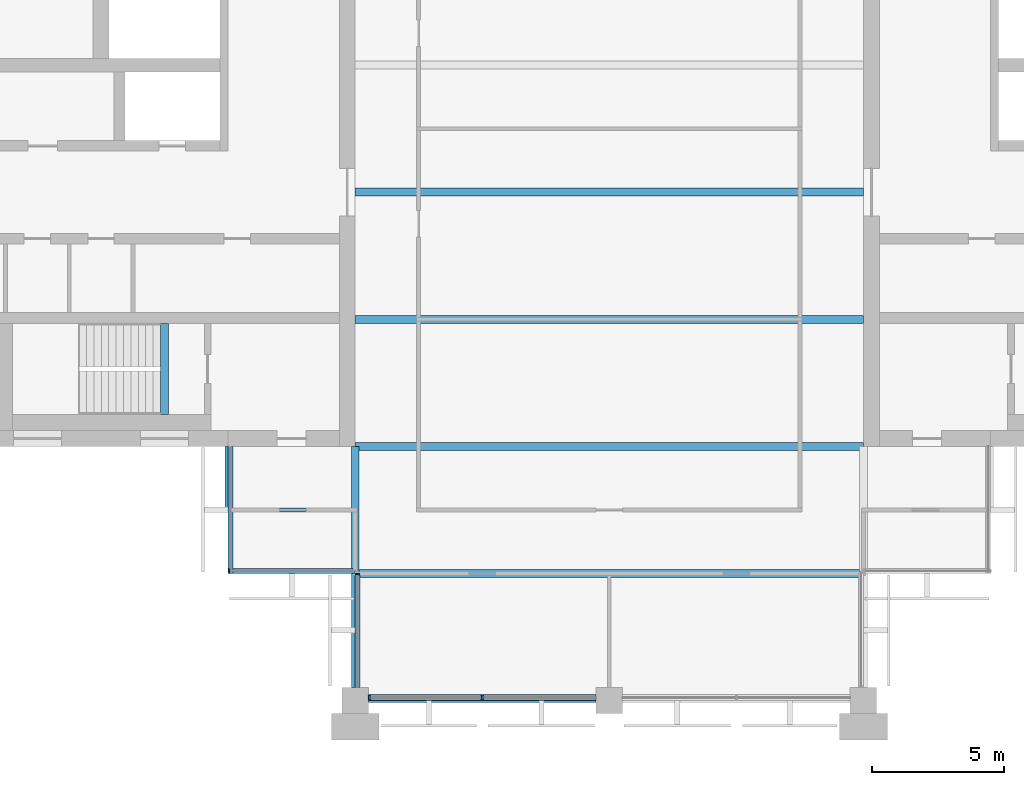
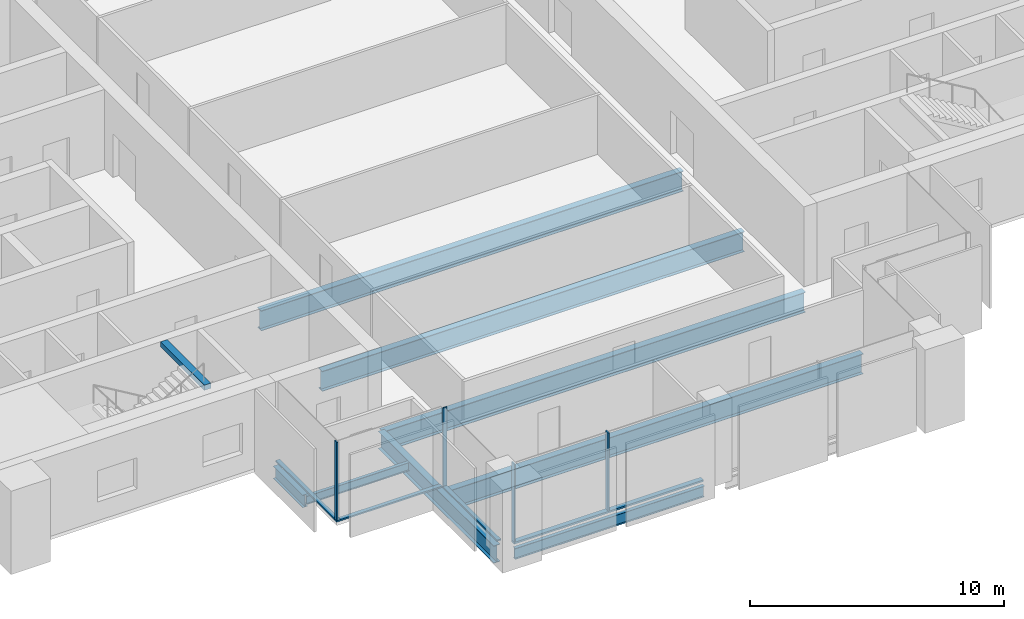
# One storey, part 2 of 12: 9 beams, 8 members, 4 elements without a shape of their own.
"""IFC4 building model written with IfcOpenShell, lengths in metres."""

from ifc_helpers import new_model, si_unit, direction, frame, origin, origin_2d, place, context, subcontext, project, spatial, rectangle, i_section, extrude, material, material_profile, profile_set, type_object, element, aggregate, save


model = new_model("IFC4")

# Units and contexts
model_context = context("Model", 3, precision=1e-05, world=origin(), true_north=direction((0.0, 1.0)))
body_context = subcontext(model_context, "Body", "Model", "MODEL_VIEW")
ifc_project = project(units=[si_unit("LENGTHUNIT", "METRE"), si_unit("AREAUNIT", "SQUARE_METRE"), si_unit("VOLUMEUNIT", "CUBIC_METRE"), si_unit("PLANEANGLEUNIT", "RADIAN"), si_unit("MASSUNIT", "GRAM", prefix="KILO")], contexts=[model_context])

# Site, building, storey
site_placement = place(None, origin())
site = spatial("IfcSite", under=ifc_project, at=site_placement, CompositionType="ELEMENT")
building_placement = place(site_placement, origin())
building = spatial("IfcBuilding", under=site, at=building_placement, Name="Baori Bourse Tower", CompositionType="ELEMENT")
storey_placement = place(building_placement, frame((0.0, 0.0, 322.300048828125)))
storey = spatial("IfcBuildingStorey", under=building, at=storey_placement, Name="L71", CompositionType="ELEMENT", Elevation=322.300048828125)

# Curtain wall, member
ifc_material_1 = material(Name="Pale anodised aluminium", Category="aluminium")
curtain_wall_type_1 = type_object("IfcCurtainWallType", Name="CW2 Curtain wall", PredefinedType="NOTDEFINED", material=ifc_material_1)
curtain_wall_1_placement = place(storey_placement, origin())
curtain_wall_1 = element("IfcCurtainWall", 1, at=curtain_wall_1_placement, inside=storey, type_object=curtain_wall_type_1, Name="Curtain wall CW2 L71 9", PredefinedType="NOTDEFINED")
ifc_material_2 = material(Name="Pale anodised aluminium", Category="aluminium")
ifc_material_profile_1 = material_profile(ifc_material_2, rectangle(XDim=0.179931640625, YDim=0.054931640625, at=origin_2d()), Name="Mullion 55x180")
ifc_profile_set_1 = profile_set([ifc_material_profile_1], Name="Pale anodised aluminium")
member_type_1 = type_object("IfcMemberType", Name="CW2 Curtain wall mullion", PredefinedType="MULLION", material=ifc_profile_set_1)
member_1_placement = place(storey_placement, frame((14.427490234375, 4.889892578125, 0.070068359375), z_axis=(0.0, 0.0, 1.0), x_axis=(0.0, 1.0, 0.0)))
member_1 = element("IfcMember", 2, at=member_1_placement, type_object=member_type_1, Name="Curtain wall CW2 mullion", PredefinedType="MULLION", context=body_context, shape_type="SweptSolid", body=[
    extrude(rectangle(XDim=0.179931640625, YDim=0.054931640625, at=origin_2d()), origin(), (0.0, 0.0, 1.0), 3.769775390625),
])

curtain_wall_2_placement = place(storey_placement, origin())
curtain_wall_2 = element("IfcCurtainWall", 3, at=curtain_wall_2_placement, inside=storey, type_object=curtain_wall_type_1, Name="Curtain wall CW2 L71 10", PredefinedType="NOTDEFINED")
member_2_placement = place(storey_placement, frame((19.2900390625, 4.7724609375, 0.070068359375), z_axis=(0.0, 0.0, 1.0), x_axis=(1.0, 0.0, 0.0)))
member_2 = element("IfcMember", 4, at=member_2_placement, type_object=member_type_1, Name="Curtain wall CW2 mullion", PredefinedType="MULLION", context=body_context, shape_type="SweptSolid", body=[
    extrude(rectangle(XDim=0.179931640625, YDim=0.054931640625, at=origin_2d()), origin(), (0.0, 0.0, 1.0), 3.769775390625),
])

curtain_wall_3_placement = place(storey_placement, origin())
curtain_wall_3 = element("IfcCurtainWall", 5, at=curtain_wall_3_placement, inside=storey, type_object=curtain_wall_type_1, Name="Curtain wall CW2 L71 8", PredefinedType="NOTDEFINED")
ifc_material_3 = material(Name="Pale anodised aluminium", Category="aluminium")
ifc_material_profile_2 = material_profile(ifc_material_3, rectangle(XDim=0.179931640625, YDim=0.070068359375, at=origin_2d()), Name="Transom 70x180")
ifc_profile_set_2 = profile_set([ifc_material_profile_2], Name="Pale anodised aluminium")
member_type_2 = type_object("IfcMemberType", Name="CW2 Curtain wall transom", PredefinedType="USERDEFINED", material=ifc_profile_set_2)
member_3_placement = place(storey_placement, frame((14.489990234375, 9.60009765625, 0.034912109375), z_axis=(0.0, -1.0, 0.0), x_axis=(1.0, 0.0, 0.0)))
member_3 = element("IfcMember", 6, at=member_3_placement, type_object=member_type_2, Name="Curtain wall CW2 sill rail", ObjectType="TRANSOM", PredefinedType="USERDEFINED", context=body_context, shape_type="SweptSolid", body=[
    extrude(rectangle(XDim=0.179931640625, YDim=0.070068359375, at=origin_2d()), origin(), (0.0, 0.0, 1.0), 4.800048828125),
])
aggregate(curtain_wall_3, [member_3])

# Member
member_4_placement = place(storey_placement, frame((14.39990234375, 4.889892578125, 0.034912109375), z_axis=(1.0, 0.0, 0.0), x_axis=(0.0, 1.0, 0.0)))
member_4 = element("IfcMember", 7, at=member_4_placement, type_object=member_type_2, Name="Curtain wall CW2 sill rail", ObjectType="TRANSOM", PredefinedType="USERDEFINED", context=body_context, shape_type="SweptSolid", body=[
    extrude(rectangle(XDim=0.179931640625, YDim=0.070068359375, at=origin_2d()), origin(), (0.0, 0.0, 1.0), 4.800048828125),
])

aggregate(curtain_wall_1, [member_4, member_1])

member_5_placement = place(storey_placement, frame((19.2900390625, 4.800048828125, 0.034912109375), z_axis=(0.0, -1.0, 0.0), x_axis=(1.0, 0.0, 0.0)))
member_5 = element("IfcMember", 8, at=member_5_placement, type_object=member_type_2, Name="Curtain wall CW2 sill rail", ObjectType="TRANSOM", PredefinedType="USERDEFINED", context=body_context, shape_type="SweptSolid", body=[
    extrude(rectangle(XDim=0.179931640625, YDim=0.070068359375, at=origin_2d()), origin(), (0.0, 0.0, 1.0), 4.300048828125),
])

aggregate(curtain_wall_2, [member_5, member_2])

# Curtain wall, members
ifc_material_4 = material(Name="Pale anodised aluminium", Category="aluminium")
curtain_wall_type_2 = type_object("IfcCurtainWallType", Name="CW5 Curtain wall", PredefinedType="NOTDEFINED", material=ifc_material_4)
curtain_wall_4_placement = place(storey_placement, origin())
curtain_wall_4 = element("IfcCurtainWall", 9, at=curtain_wall_4_placement, inside=storey, type_object=curtain_wall_type_2, Name="Curtain wall CW5 L71 11", PredefinedType="NOTDEFINED")
ifc_material_5 = material(Name="Pale anodised aluminium", Category="aluminium")
ifc_material_profile_3 = material_profile(ifc_material_5, rectangle(XDim=0.219970703125, YDim=0.06494140625, at=origin_2d()), Name="Mullion 65x220")
ifc_profile_set_3 = profile_set([ifc_material_profile_3], Name="Pale anodised aluminium")
member_type_3 = type_object("IfcMemberType", Name="CW5 Curtain wall mullion", PredefinedType="MULLION", material=ifc_profile_set_3)
member_6_placement = place(storey_placement, frame((19.732421875, 0.110107421875, 0.0849609375), z_axis=(0.0, 0.0, 1.0), x_axis=(0.0, 1.0, 0.0)))
member_6 = element("IfcMember", 10, at=member_6_placement, type_object=member_type_3, Name="Curtain wall CW5 mullion", PredefinedType="MULLION", context=body_context, shape_type="SweptSolid", body=[
    extrude(rectangle(XDim=0.219970703125, YDim=0.06494140625, at=origin_2d()), origin(), (0.0, 0.0, 1.0), 3.7548828125),
])
member_7_placement = place(storey_placement, frame((24.0, 0.110107421875, 0.0849609375), z_axis=(0.0, 0.0, 1.0), x_axis=(0.0, 1.0, 0.0)))
member_7 = element("IfcMember", 11, at=member_7_placement, type_object=member_type_3, Name="Curtain wall CW5 mullion", PredefinedType="MULLION", context=body_context, shape_type="SweptSolid", body=[
    extrude(rectangle(XDim=0.219970703125, YDim=0.06494140625, at=origin_2d()), origin(), (0.0, 0.0, 1.0), 3.7548828125),
])
ifc_material_6 = material(Name="Pale anodised aluminium", Category="aluminium")
ifc_material_profile_4 = material_profile(ifc_material_6, rectangle(XDim=0.219970703125, YDim=0.0849609375, at=origin_2d()), Name="Transom 85x220")
ifc_profile_set_4 = profile_set([ifc_material_profile_4], Name="Pale anodised aluminium")
member_type_4 = type_object("IfcMemberType", Name="CW5 Curtain wall transom", PredefinedType="USERDEFINED", material=ifc_profile_set_4)
member_8_placement = place(storey_placement, frame((19.699951171875, 0.110107421875, 0.04248046875), z_axis=(1.0, 0.0, 0.0), x_axis=(0.0, 1.0, 0.0)))
member_8 = element("IfcMember", 12, at=member_8_placement, type_object=member_type_4, Name="Curtain wall CW5 sill rail", ObjectType="TRANSOM", PredefinedType="USERDEFINED", context=body_context, shape_type="SweptSolid", body=[
    extrude(rectangle(XDim=0.219970703125, YDim=0.0849609375, at=origin_2d()), origin(), (0.0, 0.0, 1.0), 8.60009765625),
])
aggregate(curtain_wall_4, [member_8, member_6, member_7])

# Beams
ifc_material_7 = material(Name="Steel A992 Gr 50", Category="steel")
ifc_material_profile_5 = material_profile(ifc_material_7, i_section(OverallWidth=0.227783203125, OverallDepth=0.60205078125, WebThickness=0.010498046875, FlangeThickness=0.014892578125, at=origin_2d()), Name="W24x68")
ifc_profile_set_5 = profile_set([ifc_material_profile_5], Name="Steel A992 Gr 50")
beam_type_1 = type_object("IfcBeamType", Name="Core bracket W24x68", PredefinedType="BEAM", material=ifc_profile_set_5)
beam_1_placement = place(storey_placement, frame((14.39990234375, 7.270263671875, -0.4609375), z_axis=(0.0, 1.0, 0.0), x_axis=(-1.0, 0.0, 0.0)))
element("IfcBeam", 13, at=beam_1_placement, inside=storey, type_object=beam_type_1, Name="Core bracket L71", PredefinedType="BEAM", context=body_context, shape_type="SweptSolid", body=[
    extrude(i_section(OverallWidth=0.227783203125, OverallDepth=0.60205078125, WebThickness=0.010498046875, FlangeThickness=0.014892578125, at=origin_2d()), origin(), (0.0, 0.0, 1.0), 2.329833984375),
])
ifc_material_8 = material(Name="Steel A992 Gr 50", Category="steel")
ifc_material_profile_6 = material_profile(ifc_material_8, i_section(OverallWidth=0.1650390625, OverallDepth=0.52587890625, WebThickness=0.0087890625, FlangeThickness=0.011474609375, at=origin_2d()), Name="W21x44")
ifc_profile_set_6 = profile_set([ifc_material_profile_6], Name="Steel A992 Gr 50")
beam_type_2 = type_object("IfcBeamType", Name="Edge beam W21x44", PredefinedType="BEAM", material=ifc_profile_set_6)
beam_2_placement = place(storey_placement, frame((19.699951171875, 0.0, -0.4228515625), z_axis=(1.0, 0.0, 0.0), x_axis=(0.0, 1.0, 0.0)))
element("IfcBeam", 14, at=beam_2_placement, inside=storey, type_object=beam_type_2, Name="Edge beam L71", PredefinedType="BEAM", context=body_context, shape_type="SweptSolid", body=[
    extrude(i_section(OverallWidth=0.1650390625, OverallDepth=0.52587890625, WebThickness=0.0087890625, FlangeThickness=0.011474609375, at=origin_2d()), origin(), (0.0, 0.0, 1.0), 8.60009765625),
])
ifc_material_9 = material(Name="Steel A992 Gr 50", Category="steel")
ifc_material_profile_7 = material_profile(ifc_material_9, i_section(OverallWidth=0.2998046875, OverallDepth=0.97021484375, WebThickness=0.01611328125, FlangeThickness=0.02099609375, at=origin_2d()), Name="W40x149")
ifc_profile_set_7 = profile_set([ifc_material_profile_7], Name="Steel A992 Gr 50")
beam_type_3 = type_object("IfcBeamType", Name="Floor beam W40x149", PredefinedType="BEAM", material=ifc_profile_set_7)
beam_3_placement = place(storey_placement, frame((19.345947265625, 4.800048828125, -0.645263671875), z_axis=(1.0, 0.0, 0.0), x_axis=(0.0, 1.0, 0.0)))
element("IfcBeam", 15, at=beam_3_placement, inside=storey, type_object=beam_type_3, Name="Floor beam L71", PredefinedType="BEAM", context=body_context, shape_type="SweptSolid", body=[
    extrude(i_section(OverallWidth=0.2998046875, OverallDepth=0.97021484375, WebThickness=0.01611328125, FlangeThickness=0.02099609375, at=origin_2d()), origin(), (0.0, 0.0, 1.0), 18.907958984375),
])
for number, where, z_axis, x_axis, name in (
    (16, (19.199951171875, 9.60009765625, -0.645263671875), (1.0, 0.0, 0.0), (0.0, 1.0, 0.0), "Floor beam L71"),
    (17, (19.199951171875, 14.39990234375, -0.645263671875), (1.0, 0.0, 0.0), (0.0, 1.0, 0.0), "Floor beam L71"),
    (18, (19.199951171875, 19.199951171875, -0.645263671875), (1.0, 0.0, 0.0), (0.0, 1.0, 0.0), "Floor beam L71"),
):
    element("IfcBeam", number, at=place(storey_placement, frame(where, z_axis=z_axis, x_axis=x_axis)), inside=storey, type_object=beam_type_3, Name=name, PredefinedType="BEAM", context=body_context, shape_type="SweptSolid", body=[
        extrude(i_section(OverallWidth=0.2998046875, OverallDepth=0.97021484375, WebThickness=0.01611328125, FlangeThickness=0.02099609375, at=origin_2d()), origin(), (0.0, 0.0, 1.0), 19.199951171875),
    ])
ifc_material_10 = material(Name="Steel A992 Gr 50", Category="steel")
ifc_material_profile_8 = material_profile(ifc_material_10, i_section(OverallWidth=0.2919921875, OverallDepth=0.835693359375, WebThickness=0.013916015625, FlangeThickness=0.018798828125, at=origin_2d()), Name="W33x118")
ifc_profile_set_8 = profile_set([ifc_material_profile_8], Name="Steel A992 Gr 50")
beam_type_4 = type_object("IfcBeamType", Name="Girder W33x118", PredefinedType="BEAM", material=ifc_profile_set_8)
beam_4_placement = place(storey_placement, frame((19.199951171875, 0.5, -0.577880859375), z_axis=(0.0, 1.0, 0.0), x_axis=(-1.0, 0.0, 0.0)))
element("IfcBeam", 19, at=beam_4_placement, inside=storey, type_object=beam_type_4, Name="Girder L71", PredefinedType="BEAM", context=body_context, shape_type="SweptSolid", body=[
    extrude(i_section(OverallWidth=0.2919921875, OverallDepth=0.835693359375, WebThickness=0.013916015625, FlangeThickness=0.018798828125, at=origin_2d()), origin(), (0.0, 0.0, 1.0), 9.10009765625),
])
ifc_material_11 = material(Name="Concrete f'c 50 MPa", Category="concrete")
ifc_material_profile_9 = material_profile(ifc_material_11, rectangle(XDim=0.300048828125, YDim=0.25, at=origin_2d()), Name="RC 300x250")
ifc_profile_set_9 = profile_set([ifc_material_profile_9], Name="Concrete f'c 50 MPa")
beam_type_5 = type_object("IfcBeamType", Name="Stair nib beam RC 300x250", PredefinedType="BEAM", material=ifc_profile_set_9)
beam_5_placement = place(storey_placement, frame((12.0, 10.800048828125, 3.71484375), z_axis=(0.0, 1.0, 0.0), x_axis=(-1.0, 0.0, 0.0)))
element("IfcBeam", 20, at=beam_5_placement, inside=storey, type_object=beam_type_5, Name="Stair WA nib beam L72", PredefinedType="BEAM", context=body_context, shape_type="SweptSolid", body=[
    extrude(rectangle(XDim=0.300048828125, YDim=0.25, at=origin_2d()), origin(), (0.0, 0.0, 1.0), 3.449951171875),
])
ifc_material_12 = material(Name="Steel A992 Gr 50", Category="steel")
ifc_material_profile_10 = material_profile(ifc_material_12, i_section(OverallWidth=0.140380859375, OverallDepth=0.40380859375, WebThickness=0.007080078125, FlangeThickness=0.01123046875, at=origin_2d()), Name="W16x31")
ifc_profile_set_10 = profile_set([ifc_material_profile_10], Name="Steel A992 Gr 50")
beam_type_6 = type_object("IfcBeamType", Name="Trimmer beam W16x31", PredefinedType="BEAM", material=ifc_profile_set_10)
beam_6_placement = place(storey_placement, frame((14.39990234375, 7.199951171875, -0.362060546875), z_axis=(1.0, 0.0, 0.0), x_axis=(0.0, 1.0, 0.0)))
element("IfcBeam", 21, at=beam_6_placement, inside=storey, type_object=beam_type_6, Name="Trimmer beam L71", PredefinedType="BEAM", context=body_context, shape_type="SweptSolid", body=[
    extrude(i_section(OverallWidth=0.140380859375, OverallDepth=0.40380859375, WebThickness=0.007080078125, FlangeThickness=0.01123046875, at=origin_2d()), origin(), (0.0, 0.0, 1.0), 4.654052734375),
])

save(model, "model.ifc")
